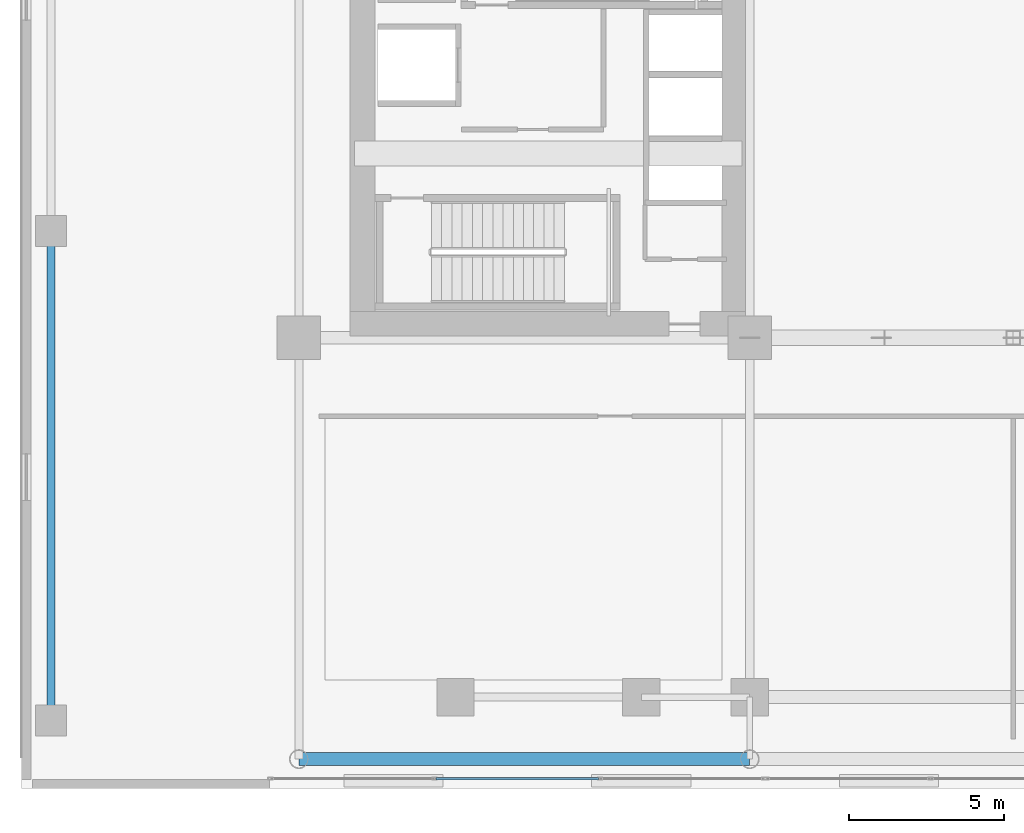
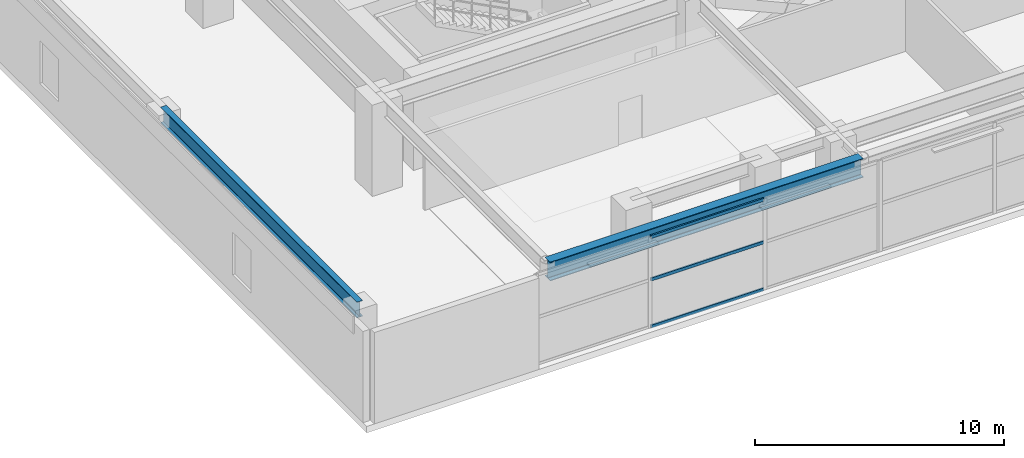
# One storey, part 4 of 28: 3 members, 2 beams, 1 element without a shape of its own.
"""IFC4 building model written with IfcOpenShell, lengths in metres."""

from ifc_helpers import new_model, si_unit, direction, frame, origin, origin_2d, place, context, subcontext, project, spatial, hollow_rectangle, i_section, extrude, source, transform, mapped, material, layer, layer_set, material_profile, profile_set, type_object, element, aggregate, save


model = new_model("IFC4")

# Units and contexts
model_context = context("Model", 3, precision=1e-05, world=origin(), true_north=direction((0.0, 1.0)))
body_context = subcontext(model_context, "Body", "Model", "MODEL_VIEW")
ifc_project = project(units=[si_unit("LENGTHUNIT", "METRE"), si_unit("AREAUNIT", "SQUARE_METRE"), si_unit("VOLUMEUNIT", "CUBIC_METRE"), si_unit("PLANEANGLEUNIT", "RADIAN"), si_unit("MASSUNIT", "GRAM", prefix="KILO")], contexts=[model_context])

# Site, building, storey
site_placement = place(None, origin())
site = spatial("IfcSite", under=ifc_project, at=site_placement, CompositionType="ELEMENT")
building_placement = place(site_placement, origin())
building = spatial("IfcBuilding", under=site, at=building_placement, Name="Ocotamira Hotel", CompositionType="ELEMENT")
storey_placement = place(building_placement, frame((0.0, 0.0, 24.0)))
storey = spatial("IfcBuildingStorey", under=building, at=storey_placement, Name="L05", CompositionType="ELEMENT", Elevation=24.0)

# Beams
ifc_material_1 = material(Name="Steel ASTM A992 Grade 50", Category="steel")
ifc_material_profile_1 = material_profile(ifc_material_1, i_section(OverallWidth=0.41796875, OverallDepth=0.927001953125, WebThickness=0.019287109375, FlangeThickness=0.031982421875, FilletRadius=0.02392578125, at=origin_2d()), Name="W36X231")
ifc_profile_set_1 = profile_set([ifc_material_profile_1], Name="Steel ASTM A992 Grade 50")
beam_type_1 = type_object("IfcBeamType", Name="BM-GIRD-W36X231", PredefinedType="BEAM", material=ifc_profile_set_1)
shared_shape_1 = source(origin(), body_context, "Body", "SweptSolid", [
    extrude(i_section(OverallWidth=0.41796875, OverallDepth=0.927001953125, WebThickness=0.019287109375, FlangeThickness=0.031982421875, FilletRadius=0.02392578125, at=origin_2d()), origin(), (0.0, 0.0, 1.0), 14.550048828125),
])
beam_1_placement = place(storey_placement, frame((8.949951171875, 0.949951171875, 4.0166015625), z_axis=(1.0, 0.0, 0.0), x_axis=(0.0, 1.0, 0.0)))
element("IfcBeam", 1, at=beam_1_placement, inside=storey, type_object=beam_type_1, Name="L05 Girder Y0.95 X8.95-23.5", PredefinedType="BEAM", context=body_context, shape_type="MappedRepresentation", body=[
    mapped(shared_shape_1, transform((0.0, 0.0, 0.0), scale=1.0)),
])
ifc_material_profile_2 = material_profile(ifc_material_1, i_section(OverallWidth=0.26611328125, OverallDepth=0.779052734375, WebThickness=0.0166015625, FlangeThickness=0.030029296875, FilletRadius=0.01806640625, at=origin_2d()), Name="W30X148")
ifc_profile_set_2 = profile_set([ifc_material_profile_2], Name="Steel ASTM A992 Grade 50")
beam_type_2 = type_object("IfcBeamType", Name="BM-GIRD-W30X148", PredefinedType="BEAM", material=ifc_profile_set_2)
shared_shape_2 = source(origin(), body_context, "Body", "SweptSolid", [
    extrude(i_section(OverallWidth=0.26611328125, OverallDepth=0.779052734375, WebThickness=0.0166015625, FlangeThickness=0.030029296875, FilletRadius=0.01806640625, at=origin_2d()), origin(), (0.0, 0.0, 1.0), 15.800048828125),
])
beam_2_placement = place(storey_placement, frame((0.949951171875, 2.199951171875, 4.090576171875), z_axis=(0.0, 1.0, 0.0), x_axis=(-1.0, 0.0, 0.0)))
element("IfcBeam", 2, at=beam_2_placement, inside=storey, type_object=beam_type_2, Name="L05 Beam X0.95 Y2.2-18", PredefinedType="BEAM", context=body_context, shape_type="MappedRepresentation", body=[
    mapped(shared_shape_2, transform((0.0, 0.0, 0.0), scale=1.0)),
])

# Curtain wall, members
ifc_material_2 = material(Name="Anodised pale-metal aluminium and solar glass", Category="aluminium")
ifc_layer = layer(ifc_material_2, 0.219970703125)
ifc_layer_set = layer_set([ifc_layer], Name="Anodised pale-metal aluminium and solar glass")
curtain_wall_type = type_object("IfcCurtainWallType", Name="CW-SYS1-POD", PredefinedType="NOTDEFINED", material=ifc_layer_set)
curtain_wall_placement = place(storey_placement, origin())
curtain_wall = element("IfcCurtainWall", 3, at=curtain_wall_placement, inside=storey, type_object=curtain_wall_type, Name="L05 Curtain Wall CW-1 CW-L05-S1", PredefinedType="NOTDEFINED")
ifc_material_3 = material(Name="Anodised pale-metal aluminium 6063-T6", Category="aluminium")
ifc_material_profile_3 = material_profile(ifc_material_3, hollow_rectangle(XDim=0.074951171875, YDim=0.14990234375, WallThickness=0.006103515625, at=origin_2d()), Name="HSS150X75X6")
ifc_profile_set_3 = profile_set([ifc_material_profile_3], Name="Anodised pale-metal aluminium 6063-T6")
member_type = type_object("IfcMemberType", Name="CWT-150X75", PredefinedType="USERDEFINED", material=ifc_profile_set_3)
shared_shape_3 = source(origin(), body_context, "Body", "SweptSolid", [
    extrude(hollow_rectangle(XDim=0.074951171875, YDim=0.14990234375, WallThickness=0.006103515625, at=origin_2d()), origin(), (0.0, 0.0, 1.0), 5.25341796875),
])
member_1_placement = place(storey_placement, frame((13.373291015625, 0.320068359375, 0.03759765625), z_axis=(1.0, 0.0, 0.0), x_axis=(0.0, 1.0, 0.0)))
member_1 = element("IfcMember", 4, at=member_1_placement, type_object=member_type, Name="CW-1 transom 2.1", ObjectType="TRANSOM", PredefinedType="USERDEFINED", context=body_context, shape_type="MappedRepresentation", body=[
    mapped(shared_shape_3, transform((0.0, 0.0, 0.0), scale=1.0)),
])
member_2_placement = place(storey_placement, frame((13.373291015625, 0.320068359375, 2.35009765625), z_axis=(1.0, 0.0, 0.0), x_axis=(0.0, 1.0, 0.0)))
member_2 = element("IfcMember", 5, at=member_2_placement, type_object=member_type, Name="CW-1 transom 2.2", ObjectType="TRANSOM", PredefinedType="USERDEFINED", context=body_context, shape_type="MappedRepresentation", body=[
    mapped(shared_shape_3, transform((0.0, 0.0, 0.0), scale=1.0)),
])
member_3_placement = place(storey_placement, frame((13.373291015625, 0.320068359375, 4.4423828125), z_axis=(1.0, 0.0, 0.0), x_axis=(0.0, 1.0, 0.0)))
member_3 = element("IfcMember", 6, at=member_3_placement, type_object=member_type, Name="CW-1 transom 2.3", ObjectType="TRANSOM", PredefinedType="USERDEFINED", context=body_context, shape_type="MappedRepresentation", body=[
    mapped(shared_shape_3, transform((0.0, 0.0, 0.0), scale=1.0)),
])
aggregate(curtain_wall, [member_1, member_2, member_3])

save(model, "model.ifc")
